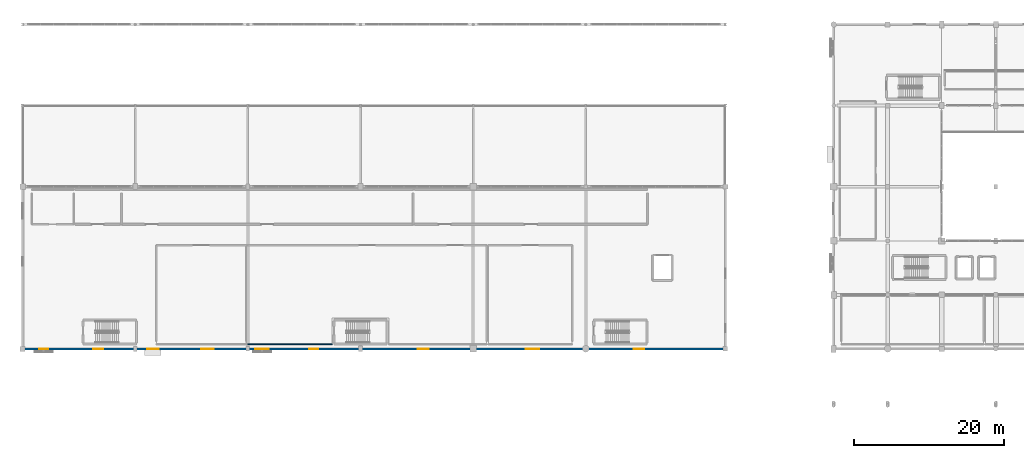
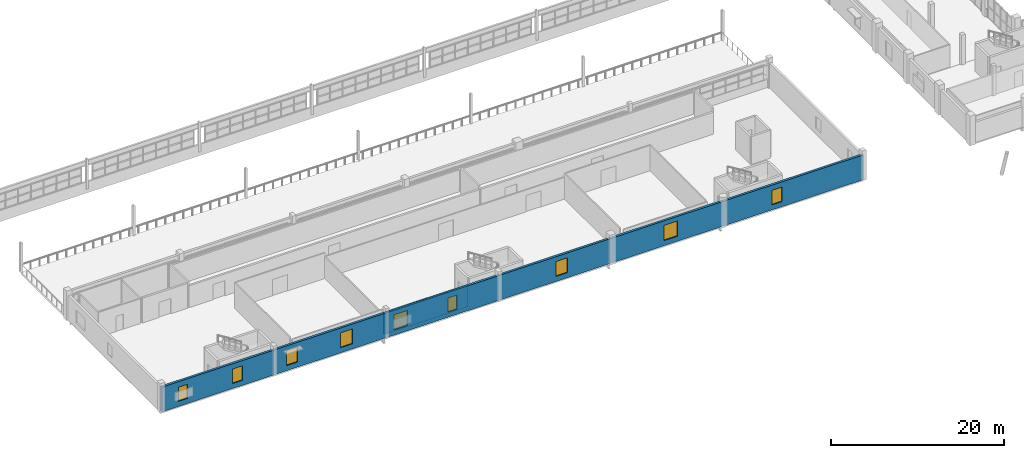
# One storey, part 63 of 92: 9 windows, 2 walls, 9 openings.
"""IFC4 building model written with IfcOpenShell, lengths in metres."""

from ifc_helpers import new_model, si_unit, direction, frame, frame_2d, origin, place, context, subcontext, project, spatial, rectangle, extrude, material, layer, layer_set, type_object, element, fill, save


model = new_model("IFC4")

# Units and contexts
model_context = context("Model", 3, precision=1e-05, world=origin(), true_north=direction((0.0, 1.0)))
body_context = subcontext(model_context, "Body", "Model", "MODEL_VIEW")
ifc_project = project(units=[si_unit("LENGTHUNIT", "METRE"), si_unit("AREAUNIT", "SQUARE_METRE"), si_unit("VOLUMEUNIT", "CUBIC_METRE"), si_unit("PLANEANGLEUNIT", "RADIAN"), si_unit("MASSUNIT", "GRAM", prefix="KILO")], contexts=[model_context])

# Site, building, storey
site_placement = place(None, origin())
site = spatial("IfcSite", under=ifc_project, at=site_placement, CompositionType="ELEMENT")
building_placement = place(site_placement, origin())
building = spatial("IfcBuilding", under=site, at=building_placement, Name="Solanera Park Tramway Depot", CompositionType="ELEMENT")
storey_placement = place(building_placement, frame((0.0, 0.0, 4.800048828125)))
storey = spatial("IfcBuildingStorey", under=building, at=storey_placement, Name="L01", CompositionType="ELEMENT", Elevation=4.800048828125)

# Wall
ifc_material_1 = material(Name="Concrete N32 (C32/40)", Category="concrete")
ifc_layer_1 = layer(ifc_material_1, 0.14990234375)
ifc_layer_set_1 = layer_set([ifc_layer_1], Name="Concrete N32 (C32/40)")
wall_type_1 = type_object("IfcWallType", Name="Acoustic Partition 150", PredefinedType="PARTITIONING", material=ifc_layer_set_1)
wall_1_placement = place(storey_placement, frame((41.25, 11.39990234375, 0.0), z_axis=(0.0, 0.0, 1.0), x_axis=(-1.0, 0.0, 0.0)))
element("IfcWall", 1, at=wall_1_placement, inside=storey, type_object=wall_type_1, Name="On-Board Signalling and ATP Bench Lab Dividing Wall", PredefinedType="PARTITIONING", context=body_context, shape_type="SweptSolid", body=[
    extrude(rectangle(XDim=11.25, YDim=0.14990234375, at=frame_2d((5.625, 0.0))), origin(), (0.0, 0.0, 1.0), 3.08203125),
])

# Wall, openings, windows
ifc_material_2 = material(Name="Concrete N32 (C32/40)", Category="concrete")
ifc_layer_2 = layer(ifc_material_2, 0.300048828125)
ifc_layer_set_2 = layer_set([ifc_layer_2], Name="Concrete N32 (C32/40)")
wall_type_2 = type_object("IfcWallType", Name="Ext Stucco Wall 300", PredefinedType="SOLIDWALL", material=ifc_layer_set_2)
wall_2_placement = place(storey_placement, frame((0.0, 10.800048828125, 0.0), z_axis=(0.0, 0.0, 1.0), x_axis=(1.0, 0.0, 0.0)))
wall_2 = element("IfcWall", 2, at=wall_2_placement, inside=storey, type_object=wall_type_2, Name="L01 Exterior Wall #005", PredefinedType="SOLIDWALL", context=body_context, shape_type="SweptSolid", body=[
    extrude(rectangle(XDim=93.60009765625, YDim=0.300048828125, at=frame_2d((46.800048828125, 0.0))), origin(), (0.0, 0.0, 1.0), 3.5),
])
opening_1_placement = place(wall_2_placement, frame((2.199951171875, 0.0, 0.719970703125)))
opening_1 = element("IfcOpeningElement", 3, at=opening_1_placement, cuts=wall_2, Name="Opening WN-A12", PredefinedType="OPENING", context=body_context, shape_type="SweptSolid", body=[
    extrude(rectangle(XDim=1.199951171875, YDim=2.0, at=frame_2d((0.60009765625, 1.0))), frame((0.0, 0.16015625, 0.0), z_axis=(0.0, -1.0, 0.0), x_axis=(1.0, 0.0, 0.0)), (0.0, 0.0, 1.0), 0.320068359375),
])
opening_2_placement = place(wall_2_placement, frame((9.39990234375, 0.0, 0.719970703125)))
opening_2 = element("IfcOpeningElement", 4, at=opening_2_placement, cuts=wall_2, Name="Opening WN-A13", PredefinedType="OPENING", context=body_context, shape_type="SweptSolid", body=[
    extrude(rectangle(XDim=1.35009765625, YDim=2.050048828125, at=frame_2d((0.675048828125, 1.02490234375))), frame((0.0, 0.16015625, 0.0), z_axis=(0.0, -1.0, 0.0), x_axis=(1.0, 0.0, 0.0)), (0.0, 0.0, 1.0), 0.320068359375),
])
opening_3_placement = place(wall_2_placement, frame((16.60009765625, 0.0, 0.719970703125)))
opening_3 = element("IfcOpeningElement", 5, at=opening_3_placement, cuts=wall_2, Name="Opening WN-A15", PredefinedType="OPENING", context=body_context, shape_type="SweptSolid", body=[
    extrude(rectangle(XDim=1.5, YDim=2.10009765625, at=frame_2d((0.75, 1.050048828125))), frame((0.0, 0.16015625, 0.0), z_axis=(0.0, -1.0, 0.0), x_axis=(1.0, 0.0, 0.0)), (0.0, 0.0, 1.0), 0.320068359375),
])
opening_4_placement = place(wall_2_placement, frame((23.800048828125, 0.0, 0.719970703125)))
opening_4 = element("IfcOpeningElement", 6, at=opening_4_placement, cuts=wall_2, Name="Opening WN-A16", PredefinedType="OPENING", context=body_context, shape_type="SweptSolid", body=[
    extrude(rectangle(XDim=1.64990234375, YDim=2.10009765625, at=frame_2d((0.824951171875, 1.050048828125))), frame((0.0, 0.16015625, 0.0), z_axis=(0.0, -1.0, 0.0), x_axis=(1.0, 0.0, 0.0)), (0.0, 0.0, 1.0), 0.320068359375),
])
opening_5_placement = place(wall_2_placement, frame((31.0, 0.0, 0.719970703125)))
opening_5 = element("IfcOpeningElement", 7, at=opening_5_placement, cuts=wall_2, Name="Opening WN-A18", PredefinedType="OPENING", context=body_context, shape_type="SweptSolid", body=[
    extrude(rectangle(XDim=1.800048828125, YDim=2.14990234375, at=frame_2d((0.89990234375, 1.074951171875))), frame((0.0, 0.16015625, 0.0), z_axis=(0.0, -1.0, 0.0), x_axis=(1.0, 0.0, 0.0)), (0.0, 0.0, 1.0), 0.320068359375),
])
opening_6_placement = place(wall_2_placement, frame((38.199951171875, 0.0, 0.719970703125)))
opening_6 = element("IfcOpeningElement", 8, at=opening_6_placement, cuts=wall_2, Name="Opening WN-A12", PredefinedType="OPENING", context=body_context, shape_type="SweptSolid", body=[
    extrude(rectangle(XDim=1.199951171875, YDim=2.0, at=frame_2d((0.60009765625, 1.0))), frame((0.0, 0.16015625, 0.0), z_axis=(0.0, -1.0, 0.0), x_axis=(1.0, 0.0, 0.0)), (0.0, 0.0, 1.0), 0.320068359375),
])
opening_7_placement = place(wall_2_placement, frame((52.60009765625, 0.0, 0.719970703125)))
opening_7 = element("IfcOpeningElement", 9, at=opening_7_placement, cuts=wall_2, Name="Opening WN-A15", PredefinedType="OPENING", context=body_context, shape_type="SweptSolid", body=[
    extrude(rectangle(XDim=1.5, YDim=2.10009765625, at=frame_2d((0.75, 1.050048828125))), frame((0.0, 0.16015625, 0.0), z_axis=(0.0, -1.0, 0.0), x_axis=(1.0, 0.0, 0.0)), (0.0, 0.0, 1.0), 0.320068359375),
])
opening_8_placement = place(wall_2_placement, frame((67.0, 0.0, 0.719970703125)))
opening_8 = element("IfcOpeningElement", 10, at=opening_8_placement, cuts=wall_2, Name="Opening WN-A18", PredefinedType="OPENING", context=body_context, shape_type="SweptSolid", body=[
    extrude(rectangle(XDim=1.800048828125, YDim=2.14990234375, at=frame_2d((0.89990234375, 1.074951171875))), frame((0.0, 0.16015625, 0.0), z_axis=(0.0, -1.0, 0.0), x_axis=(1.0, 0.0, 0.0)), (0.0, 0.0, 1.0), 0.320068359375),
])
opening_9_placement = place(wall_2_placement, frame((81.39990234375, 0.0, 0.719970703125)))
opening_9 = element("IfcOpeningElement", 11, at=opening_9_placement, cuts=wall_2, Name="Opening WN-A13", PredefinedType="OPENING", context=body_context, shape_type="SweptSolid", body=[
    extrude(rectangle(XDim=1.35009765625, YDim=2.050048828125, at=frame_2d((0.675048828125, 1.02490234375))), frame((0.0, 0.16015625, 0.0), z_axis=(0.0, -1.0, 0.0), x_axis=(1.0, 0.0, 0.0)), (0.0, 0.0, 1.0), 0.320068359375),
])
ifc_material_3 = material(Name="Powder-coated aluminium frame with solar-control double glazing", Category="aluminium")
window_type_1 = type_object("IfcWindowType", Name="Deep-Reveal Arched Window 1200x2000", PartitioningType="SINGLE_PANEL", PredefinedType="WINDOW", material=ifc_material_3)
window_1_placement = place(opening_1_placement, origin())
window_1 = element("IfcWindow", 12, at=window_1_placement, inside=storey, type_object=window_type_1, Name="L01 Deep-Reveal Arched Window 1200x2000 #0038", OverallHeight=2.0, OverallWidth=1.199951171875, PartitioningType="SINGLE_PANEL", PredefinedType="WINDOW", context=body_context, shape_type="SweptSolid", body=[
    extrude(rectangle(XDim=1.199951171875, YDim=2.0, at=frame_2d((0.60009765625, 1.0))), frame((0.0, 0.030029296875, 0.0), z_axis=(0.0, -1.0, 0.0), x_axis=(1.0, 0.0, 0.0)), (0.0, 0.0, 1.0), 0.06005859375),
])
fill(opening_1, window_1)
window_2_placement = place(opening_6_placement, origin())
window_2 = element("IfcWindow", 13, at=window_2_placement, inside=storey, type_object=window_type_1, Name="L01 Deep-Reveal Arched Window 1200x2000 #0043", OverallHeight=2.0, OverallWidth=1.199951171875, PartitioningType="SINGLE_PANEL", PredefinedType="WINDOW", context=body_context, shape_type="SweptSolid", body=[
    extrude(rectangle(XDim=1.199951171875, YDim=2.0, at=frame_2d((0.60009765625, 1.0))), frame((0.0, 0.030029296875, 0.0), z_axis=(0.0, -1.0, 0.0), x_axis=(1.0, 0.0, 0.0)), (0.0, 0.0, 1.0), 0.06005859375),
])
fill(opening_6, window_2)
ifc_material_4 = material(Name="Powder-coated aluminium frame with solar-control double glazing", Category="aluminium")
window_type_2 = type_object("IfcWindowType", Name="Deep-Reveal Arched Window 1350x2050", PartitioningType="SINGLE_PANEL", PredefinedType="WINDOW", material=ifc_material_4)
window_3_placement = place(opening_2_placement, origin())
window_3 = element("IfcWindow", 14, at=window_3_placement, inside=storey, type_object=window_type_2, Name="L01 Deep-Reveal Arched Window 1350x2050 #0039", OverallHeight=2.050048828125, OverallWidth=1.35009765625, PartitioningType="SINGLE_PANEL", PredefinedType="WINDOW", context=body_context, shape_type="SweptSolid", body=[
    extrude(rectangle(XDim=1.35009765625, YDim=2.050048828125, at=frame_2d((0.675048828125, 1.02490234375))), frame((0.0, 0.030029296875, 0.0), z_axis=(0.0, -1.0, 0.0), x_axis=(1.0, 0.0, 0.0)), (0.0, 0.0, 1.0), 0.06005859375),
])
fill(opening_2, window_3)
window_4_placement = place(opening_9_placement, origin())
window_4 = element("IfcWindow", 15, at=window_4_placement, inside=storey, type_object=window_type_2, Name="L01 Deep-Reveal Arched Window 1350x2050 #0046", OverallHeight=2.050048828125, OverallWidth=1.35009765625, PartitioningType="SINGLE_PANEL", PredefinedType="WINDOW", context=body_context, shape_type="SweptSolid", body=[
    extrude(rectangle(XDim=1.35009765625, YDim=2.050048828125, at=frame_2d((0.675048828125, 1.02490234375))), frame((0.0, 0.030029296875, 0.0), z_axis=(0.0, -1.0, 0.0), x_axis=(1.0, 0.0, 0.0)), (0.0, 0.0, 1.0), 0.06005859375),
])
fill(opening_9, window_4)
ifc_material_5 = material(Name="Powder-coated aluminium frame with solar-control double glazing", Category="aluminium")
window_type_3 = type_object("IfcWindowType", Name="Deep-Reveal Arched Window 1500x2100", PartitioningType="SINGLE_PANEL", PredefinedType="WINDOW", material=ifc_material_5)
window_5_placement = place(opening_3_placement, origin())
window_5 = element("IfcWindow", 16, at=window_5_placement, inside=storey, type_object=window_type_3, Name="L01 Deep-Reveal Arched Window 1500x2100 #0040", OverallHeight=2.10009765625, OverallWidth=1.5, PartitioningType="SINGLE_PANEL", PredefinedType="WINDOW", context=body_context, shape_type="SweptSolid", body=[
    extrude(rectangle(XDim=1.5, YDim=2.10009765625, at=frame_2d((0.75, 1.050048828125))), frame((0.0, 0.030029296875, 0.0), z_axis=(0.0, -1.0, 0.0), x_axis=(1.0, 0.0, 0.0)), (0.0, 0.0, 1.0), 0.06005859375),
])
fill(opening_3, window_5)
window_6_placement = place(opening_7_placement, origin())
window_6 = element("IfcWindow", 17, at=window_6_placement, inside=storey, type_object=window_type_3, Name="L01 Deep-Reveal Arched Window 1500x2100 #0044", OverallHeight=2.10009765625, OverallWidth=1.5, PartitioningType="SINGLE_PANEL", PredefinedType="WINDOW", context=body_context, shape_type="SweptSolid", body=[
    extrude(rectangle(XDim=1.5, YDim=2.10009765625, at=frame_2d((0.75, 1.050048828125))), frame((0.0, 0.030029296875, 0.0), z_axis=(0.0, -1.0, 0.0), x_axis=(1.0, 0.0, 0.0)), (0.0, 0.0, 1.0), 0.06005859375),
])
fill(opening_7, window_6)
ifc_material_6 = material(Name="Powder-coated aluminium frame with solar-control double glazing", Category="aluminium")
window_type_4 = type_object("IfcWindowType", Name="Deep-Reveal Arched Window 1650x2100", PartitioningType="SINGLE_PANEL", PredefinedType="WINDOW", material=ifc_material_6)
window_7_placement = place(opening_4_placement, origin())
window_7 = element("IfcWindow", 18, at=window_7_placement, inside=storey, type_object=window_type_4, Name="L01 Deep-Reveal Arched Window 1650x2100 #0041", OverallHeight=2.10009765625, OverallWidth=1.64990234375, PartitioningType="SINGLE_PANEL", PredefinedType="WINDOW", context=body_context, shape_type="SweptSolid", body=[
    extrude(rectangle(XDim=1.64990234375, YDim=2.10009765625, at=frame_2d((0.824951171875, 1.050048828125))), frame((0.0, 0.030029296875, 0.0), z_axis=(0.0, -1.0, 0.0), x_axis=(1.0, 0.0, 0.0)), (0.0, 0.0, 1.0), 0.06005859375),
])
fill(opening_4, window_7)
ifc_material_7 = material(Name="Powder-coated aluminium frame with solar-control double glazing", Category="aluminium")
window_type_5 = type_object("IfcWindowType", Name="Deep-Reveal Arched Window 1800x2150", PartitioningType="SINGLE_PANEL", PredefinedType="WINDOW", material=ifc_material_7)
window_8_placement = place(opening_5_placement, origin())
window_8 = element("IfcWindow", 19, at=window_8_placement, inside=storey, type_object=window_type_5, Name="L01 Deep-Reveal Arched Window 1800x2150 #0042", OverallHeight=2.14990234375, OverallWidth=1.800048828125, PartitioningType="SINGLE_PANEL", PredefinedType="WINDOW", context=body_context, shape_type="SweptSolid", body=[
    extrude(rectangle(XDim=1.800048828125, YDim=2.14990234375, at=frame_2d((0.89990234375, 1.074951171875))), frame((0.0, 0.030029296875, 0.0), z_axis=(0.0, -1.0, 0.0), x_axis=(1.0, 0.0, 0.0)), (0.0, 0.0, 1.0), 0.06005859375),
])
fill(opening_5, window_8)
window_9_placement = place(opening_8_placement, origin())
window_9 = element("IfcWindow", 20, at=window_9_placement, inside=storey, type_object=window_type_5, Name="L01 Deep-Reveal Arched Window 1800x2150 #0045", OverallHeight=2.14990234375, OverallWidth=1.800048828125, PartitioningType="SINGLE_PANEL", PredefinedType="WINDOW", context=body_context, shape_type="SweptSolid", body=[
    extrude(rectangle(XDim=1.800048828125, YDim=2.14990234375, at=frame_2d((0.89990234375, 1.074951171875))), frame((0.0, 0.030029296875, 0.0), z_axis=(0.0, -1.0, 0.0), x_axis=(1.0, 0.0, 0.0)), (0.0, 0.0, 1.0), 0.06005859375),
])
fill(opening_8, window_9)

save(model, "model.ifc")
